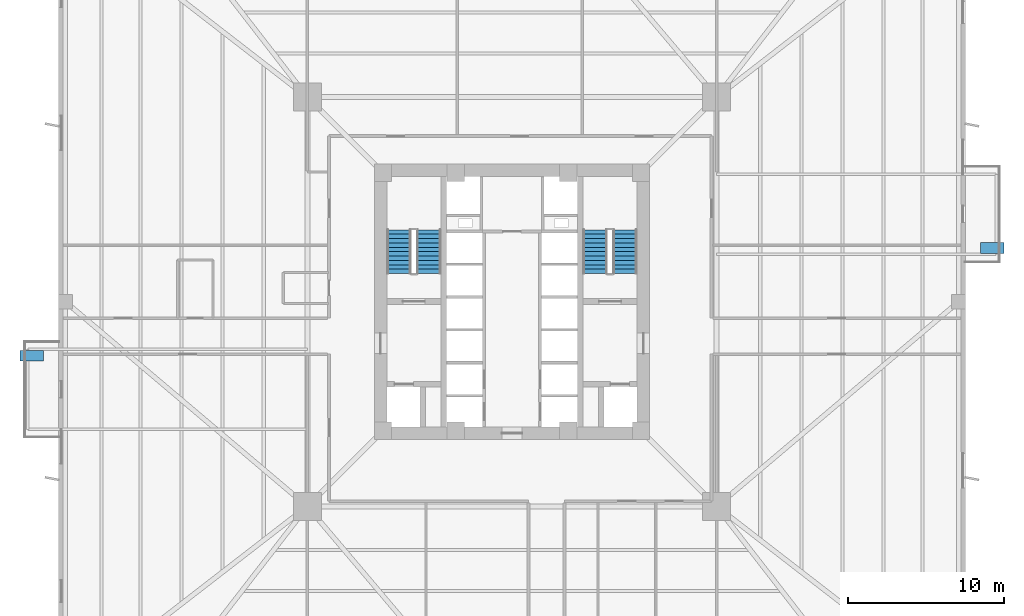
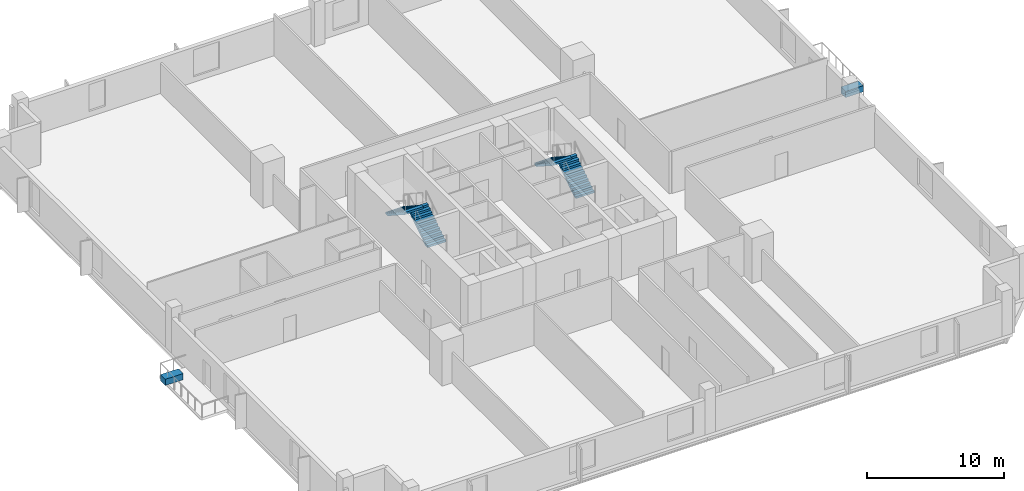
# One storey, part 5 of 9: 4 stair flights, 2 discrete accessories, 2 elements without a shape of their own.
"""IFC4 building model written with IfcOpenShell, lengths in metres."""

from ifc_helpers import new_model, si_unit, direction, frame, origin, origin_2d, place, context, subcontext, project, spatial, polyline, rectangle, outline, extrude, source, transform, mapped, material, type_object, element, aggregate, save


model = new_model("IFC4")

# Units and contexts
model_context = context("Model", 3, precision=1e-05, world=origin(), true_north=direction((0.0, 1.0)))
body_context = subcontext(model_context, "Body", "Model", "MODEL_VIEW")
ifc_project = project(units=[si_unit("LENGTHUNIT", "METRE"), si_unit("AREAUNIT", "SQUARE_METRE"), si_unit("VOLUMEUNIT", "CUBIC_METRE"), si_unit("PLANEANGLEUNIT", "RADIAN"), si_unit("MASSUNIT", "GRAM", prefix="KILO"), si_unit("THERMODYNAMICTEMPERATUREUNIT", "KELVIN")], contexts=[model_context])

# Site, building, storey
site_placement = place(None, origin())
site = spatial("IfcSite", under=ifc_project, at=site_placement, CompositionType="ELEMENT")
building_placement = place(site_placement, origin())
building = spatial("IfcBuilding", under=site, at=building_placement, Name="Kosmvard Interchange Tower", CompositionType="ELEMENT")
storey_placement = place(building_placement, frame((0.0, 0.0, 70.0)))
storey = spatial("IfcBuildingStorey", under=building, at=storey_placement, Name="L16", CompositionType="ELEMENT", Elevation=70.0)

# Stair, stair flights
ifc_material_1 = material(Name="Concrete C50/60", Category="concrete")
stair_type = type_object("IfcStairType", Name="Dog-Leg Core Exit Stair H4000 C50/60", PredefinedType="HALF_TURN_STAIR", material=ifc_material_1)
stair_1_placement = place(storey_placement, origin())
stair_1 = element("IfcStair", 1, at=stair_1_placement, inside=storey, type_object=stair_type, Name="L16 Protected Exit Stair ST-1", PredefinedType="HALF_TURN_STAIR")
stair_flight_type = type_object("IfcStairFlightType", Name="Core Stair Flight W1550 H4000 C50/60", PredefinedType="STRAIGHT", material=ifc_material_1)
shared_shape_1 = source(origin(), body_context, "Body", "SweptSolid", [
    extrude(outline(polyline([(0.0, 0.0), (0.0, 0.181884765625), (0.280029296875, 0.181884765625), (0.280029296875, 0.363525390625), (0.56005859375, 0.363525390625), (0.56005859375, 0.54541015625), (0.840087890625, 0.54541015625), (0.840087890625, 0.727294921875), (1.1201171875, 0.727294921875), (1.1201171875, 0.9091796875), (1.39990234375, 0.9091796875), (1.39990234375, 1.0908203125), (1.679931640625, 1.0908203125), (1.679931640625, 1.272705078125), (1.9599609375, 1.272705078125), (1.9599609375, 1.45458984375), (2.239990234375, 1.45458984375), (2.239990234375, 1.636474609375), (2.52001953125, 1.636474609375), (2.52001953125, 1.818115234375), (2.800048828125, 1.818115234375), (2.800048828125, 2.0), (2.800048828125, 1.62744140625), (0.293701171875, 0.0), (0.0, 0.0)])), frame((0.0, 0.77490234375, 0.0), z_axis=(0.0, -1.0, 0.0), x_axis=(1.0, 0.0, 0.0)), (0.0, 0.0, 1.0), 1.550048828125),
])
stair_flight_1_placement = place(storey_placement, frame((-5.31494140625, 1.800048828125, 0.0), z_axis=(0.0, 0.0, 1.0), x_axis=(0.0, 1.0, 0.0)))
stair_flight_1 = element("IfcStairFlight", 2, at=stair_flight_1_placement, type_object=stair_flight_type, Name="ST-1 flight 1", NumberOfRisers=11, NumberOfTreads=10, PredefinedType="STRAIGHT", RiserHeight=0.181818182, TreadLength=0.28, context=body_context, shape_type="MappedRepresentation", body=[
    mapped(shared_shape_1, transform((0.0, 0.0, 0.0), scale=1.0)),
])
stair_flight_2_placement = place(storey_placement, frame((-7.22509765625, 4.60009765625, 2.0), z_axis=(0.0, 0.0, 1.0), x_axis=(0.0, -1.0, 0.0)))
stair_flight_2 = element("IfcStairFlight", 3, at=stair_flight_2_placement, type_object=stair_flight_type, Name="ST-1 flight 2", NumberOfRisers=11, NumberOfTreads=10, PredefinedType="STRAIGHT", RiserHeight=0.181818182, TreadLength=0.28, context=body_context, shape_type="MappedRepresentation", body=[
    mapped(shared_shape_1, transform((0.0, 0.0, 0.0), scale=1.0)),
])
aggregate(stair_1, [stair_flight_1, stair_flight_2])

stair_2_placement = place(storey_placement, origin())
stair_2 = element("IfcStair", 4, at=stair_2_placement, inside=storey, type_object=stair_type, Name="L16 Protected Exit Stair ST-2", PredefinedType="HALF_TURN_STAIR")
stair_flight_3_placement = place(storey_placement, frame((7.22509765625, 1.800048828125, 0.0), z_axis=(0.0, 0.0, 1.0), x_axis=(0.0, 1.0, 0.0)))
stair_flight_3 = element("IfcStairFlight", 5, at=stair_flight_3_placement, type_object=stair_flight_type, Name="ST-2 flight 1", NumberOfRisers=11, NumberOfTreads=10, PredefinedType="STRAIGHT", RiserHeight=0.181818182, TreadLength=0.28, context=body_context, shape_type="MappedRepresentation", body=[
    mapped(shared_shape_1, transform((0.0, 0.0, 0.0), scale=1.0)),
])
stair_flight_4_placement = place(storey_placement, frame((5.31494140625, 4.60009765625, 2.0), z_axis=(0.0, 0.0, 1.0), x_axis=(0.0, -1.0, 0.0)))
stair_flight_4 = element("IfcStairFlight", 6, at=stair_flight_4_placement, type_object=stair_flight_type, Name="ST-2 flight 2", NumberOfRisers=11, NumberOfTreads=10, PredefinedType="STRAIGHT", RiserHeight=0.181818182, TreadLength=0.28, context=body_context, shape_type="MappedRepresentation", body=[
    mapped(shared_shape_1, transform((0.0, 0.0, 0.0), scale=1.0)),
])
aggregate(stair_2, [stair_flight_3, stair_flight_4])

# Discrete accessories
ifc_material_2 = material(Name="Terracotta precast planter concrete C45/55", Category="masonry")
discrete_accessory_type = type_object("IfcDiscreteAccessoryType", Name="Precast Tree-Balcony & Terrace Planter Box", PredefinedType="USERDEFINED", material=ifc_material_2)
shared_shape_2 = source(origin(), body_context, "Body", "SweptSolid", [
    extrude(rectangle(XDim=1.5, YDim=0.699951171875, at=origin_2d()), origin(), (0.0, 0.0, 1.0), 0.550048828125),
])
for number, where, z_axis, x_axis, name in (
    (7, (30.699951171875, 3.449951171875, 0.0), (0.0, 0.0, 1.0), (1.0, 0.0, 0.0), "L16 Balcony Tree Planter BAL-L16-E"),
    (8, (-30.699951171875, -3.449951171875, 0.0), (0.0, 0.0, 1.0), (1.0, 0.0, 0.0), "L16 Balcony Tree Planter BAL-L16-W"),
):
    element("IfcDiscreteAccessory", number, at=place(storey_placement, frame(where, z_axis=z_axis, x_axis=x_axis)), inside=storey, type_object=discrete_accessory_type, Name=name, ObjectType="PLANTER", PredefinedType="USERDEFINED", context=body_context, shape_type="MappedRepresentation", body=[
        mapped(shared_shape_2, transform((0.0, 0.0, 0.0), scale=1.0)),
    ])

save(model, "model.ifc")
